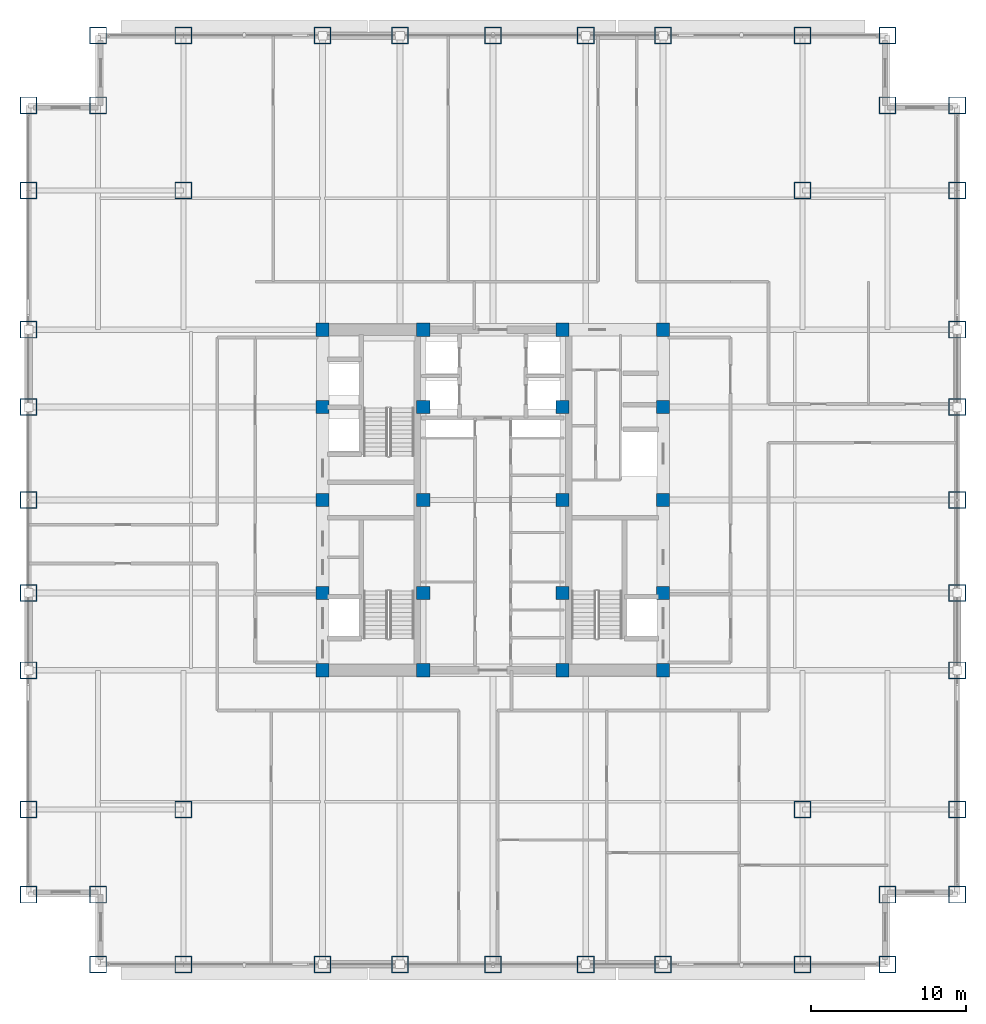
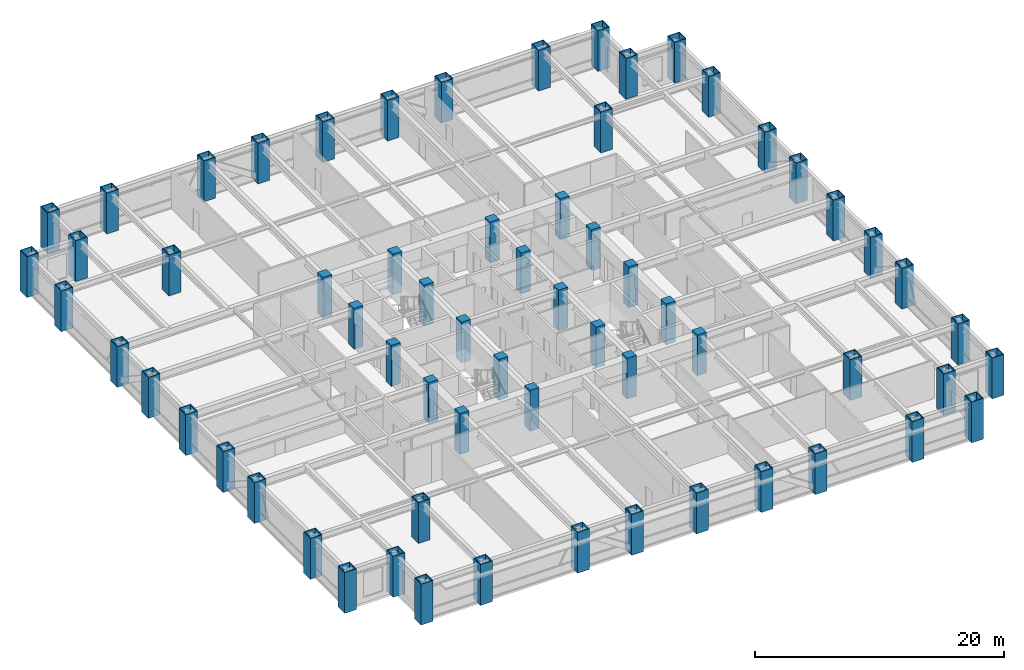
# One storey, part 1 of 28: 64 columns.
"""IFC4 building model written with IfcOpenShell, lengths in metres."""

from ifc_helpers import new_model, si_unit, direction, frame, origin, origin_2d, place, context, subcontext, project, spatial, rectangle, hollow_rectangle, extrude, source, transform, mapped, material, material_profile, profile_set, type_object, element, save


model = new_model("IFC4")

# Units and contexts
model_context = context("Model", 3, precision=1e-05, world=origin(), true_north=direction((0.0, 1.0)))
body_context = subcontext(model_context, "Body", "Model", "MODEL_VIEW")
ifc_project = project(units=[si_unit("LENGTHUNIT", "METRE"), si_unit("AREAUNIT", "SQUARE_METRE"), si_unit("VOLUMEUNIT", "CUBIC_METRE"), si_unit("PLANEANGLEUNIT", "RADIAN"), si_unit("MASSUNIT", "GRAM", prefix="KILO")], contexts=[model_context])

# Site, building, storey
site_placement = place(None, origin())
site = spatial("IfcSite", under=ifc_project, at=site_placement, CompositionType="ELEMENT")
building_placement = place(site_placement, origin())
building = spatial("IfcBuilding", under=site, at=building_placement, Name="Khorayat Bourse Tower", CompositionType="ELEMENT")
storey_placement = place(building_placement, frame((0.0, 0.0, 191.10009765625)))
storey = spatial("IfcBuildingStorey", under=building, at=storey_placement, Name="L44", CompositionType="ELEMENT", Elevation=191.10009765625)

# Columns
ifc_material_1 = material(Name="Steel EN 10025-4 S460M", Category="steel")
ifc_material_profile_1 = material_profile(ifc_material_1, hollow_rectangle(XDim=1.10009765625, YDim=1.10009765625, WallThickness=0.06005859375, at=origin_2d()), Name="BOX 1100x1100x60")
ifc_profile_set_1 = profile_set([ifc_material_profile_1], Name="Steel EN 10025-4 S460M")
column_type_1 = type_object("IfcColumnType", Name="COL-TUBE-1100", PredefinedType="COLUMN", material=ifc_profile_set_1)
shared_shape_1 = source(origin(), body_context, "Body", "SweptSolid", [
    extrude(hollow_rectangle(XDim=1.10009765625, YDim=1.10009765625, WallThickness=0.06005859375, at=origin_2d()), origin(), (0.0, 0.0, 1.0), 4.0),
])
for number, where, z_axis, x_axis, name in (
    (1, (-30.0, -25.5, 0.0), (0.0, 0.0, 1.0), (1.0, 0.0, 0.0), "L44 Column 001"),
    (2, (-30.0, -20.0, 0.0), (0.0, 0.0, 1.0), (1.0, 0.0, 0.0), "L44 Column 002"),
    (3, (-30.0, -11.0, 0.0), (0.0, 0.0, 1.0), (1.0, 0.0, 0.0), "L44 Column 003"),
    (4, (-30.0, -6.0, 0.0), (0.0, 0.0, 1.0), (1.0, 0.0, 0.0), "L44 Column 004"),
    (5, (-30.0, 0.0, 0.0), (0.0, 0.0, 1.0), (1.0, 0.0, 0.0), "L44 Column 005"),
    (6, (-30.0, 6.0, 0.0), (0.0, 0.0, 1.0), (1.0, 0.0, 0.0), "L44 Column 006"),
    (7, (-30.0, 11.0, 0.0), (0.0, 0.0, 1.0), (1.0, 0.0, 0.0), "L44 Column 007"),
    (8, (-30.0, 20.0, 0.0), (0.0, 0.0, 1.0), (1.0, 0.0, 0.0), "L44 Column 008"),
    (9, (-30.0, 25.5, 0.0), (0.0, 0.0, 1.0), (1.0, 0.0, 0.0), "L44 Column 009"),
    (10, (-25.5, -30.0, 0.0), (0.0, 0.0, 1.0), (1.0, 0.0, 0.0), "L44 Column 010"),
    (11, (-25.5, -25.5, 0.0), (0.0, 0.0, 1.0), (1.0, 0.0, 0.0), "L44 Column 011"),
    (12, (-25.5, 25.5, 0.0), (0.0, 0.0, 1.0), (1.0, 0.0, 0.0), "L44 Column 012"),
    (13, (-25.5, 30.0, 0.0), (0.0, 0.0, 1.0), (1.0, 0.0, 0.0), "L44 Column 013"),
    (14, (-20.0, -30.0, 0.0), (0.0, 0.0, 1.0), (1.0, 0.0, 0.0), "L44 Column 014"),
    (15, (-20.0, -20.0, 0.0), (0.0, 0.0, 1.0), (1.0, 0.0, 0.0), "L44 Column 015"),
    (16, (-20.0, 20.0, 0.0), (0.0, 0.0, 1.0), (1.0, 0.0, 0.0), "L44 Column 016"),
    (17, (-20.0, 30.0, 0.0), (0.0, 0.0, 1.0), (1.0, 0.0, 0.0), "L44 Column 017"),
    (18, (-11.0, -30.0, 0.0), (0.0, 0.0, 1.0), (1.0, 0.0, 0.0), "L44 Column 018"),
    (19, (-11.0, 30.0, 0.0), (0.0, 0.0, 1.0), (1.0, 0.0, 0.0), "L44 Column 024"),
    (20, (-6.0, -30.0, 0.0), (0.0, 0.0, 1.0), (1.0, 0.0, 0.0), "L44 Column 025"),
    (21, (-6.0, 30.0, 0.0), (0.0, 0.0, 1.0), (1.0, 0.0, 0.0), "L44 Column 026"),
    (22, (0.0, -30.0, 0.0), (0.0, 0.0, 1.0), (1.0, 0.0, 0.0), "L44 Column 032"),
    (23, (0.0, 30.0, 0.0), (0.0, 0.0, 1.0), (1.0, 0.0, 0.0), "L44 Column 033"),
    (24, (6.0, -30.0, 0.0), (0.0, 0.0, 1.0), (1.0, 0.0, 0.0), "L44 Column 039"),
    (25, (6.0, 30.0, 0.0), (0.0, 0.0, 1.0), (1.0, 0.0, 0.0), "L44 Column 040"),
    (26, (11.0, -30.0, 0.0), (0.0, 0.0, 1.0), (1.0, 0.0, 0.0), "L44 Column 041"),
    (27, (11.0, 30.0, 0.0), (0.0, 0.0, 1.0), (1.0, 0.0, 0.0), "L44 Column 047"),
    (28, (20.0, -30.0, 0.0), (0.0, 0.0, 1.0), (1.0, 0.0, 0.0), "L44 Column 048"),
    (29, (20.0, -20.0, 0.0), (0.0, 0.0, 1.0), (1.0, 0.0, 0.0), "L44 Column 049"),
    (30, (20.0, 20.0, 0.0), (0.0, 0.0, 1.0), (1.0, 0.0, 0.0), "L44 Column 050"),
    (31, (20.0, 30.0, 0.0), (0.0, 0.0, 1.0), (1.0, 0.0, 0.0), "L44 Column 051"),
    (32, (25.5, -30.0, 0.0), (0.0, 0.0, 1.0), (1.0, 0.0, 0.0), "L44 Column 052"),
    (33, (25.5, -25.5, 0.0), (0.0, 0.0, 1.0), (1.0, 0.0, 0.0), "L44 Column 053"),
    (34, (25.5, 25.5, 0.0), (0.0, 0.0, 1.0), (1.0, 0.0, 0.0), "L44 Column 054"),
    (35, (25.5, 30.0, 0.0), (0.0, 0.0, 1.0), (1.0, 0.0, 0.0), "L44 Column 055"),
    (36, (30.0, -25.5, 0.0), (0.0, 0.0, 1.0), (1.0, 0.0, 0.0), "L44 Column 056"),
    (37, (30.0, -20.0, 0.0), (0.0, 0.0, 1.0), (1.0, 0.0, 0.0), "L44 Column 057"),
    (38, (30.0, -11.0, 0.0), (0.0, 0.0, 1.0), (1.0, 0.0, 0.0), "L44 Column 058"),
    (39, (30.0, -6.0, 0.0), (0.0, 0.0, 1.0), (1.0, 0.0, 0.0), "L44 Column 059"),
    (40, (30.0, 0.0, 0.0), (0.0, 0.0, 1.0), (1.0, 0.0, 0.0), "L44 Column 060"),
    (41, (30.0, 6.0, 0.0), (0.0, 0.0, 1.0), (1.0, 0.0, 0.0), "L44 Column 061"),
    (42, (30.0, 11.0, 0.0), (0.0, 0.0, 1.0), (1.0, 0.0, 0.0), "L44 Column 062"),
    (43, (30.0, 20.0, 0.0), (0.0, 0.0, 1.0), (1.0, 0.0, 0.0), "L44 Column 063"),
    (44, (30.0, 25.5, 0.0), (0.0, 0.0, 1.0), (1.0, 0.0, 0.0), "L44 Column 064"),
):
    element("IfcColumn", number, at=place(storey_placement, frame(where, z_axis=z_axis, x_axis=x_axis)), inside=storey, type_object=column_type_1, Name=name, PredefinedType="COLUMN", context=body_context, shape_type="MappedRepresentation", body=[
        mapped(shared_shape_1, transform((0.0, 0.0, 0.0), scale=1.0)),
    ])
ifc_material_2 = material(Name="Concrete C60/75", Category="concrete")
ifc_material_profile_2 = material_profile(ifc_material_2, rectangle(XDim=0.85009765625, YDim=0.85009765625, at=origin_2d()), Name="RC 850x850")
ifc_profile_set_2 = profile_set([ifc_material_profile_2], Name="Concrete C60/75")
column_type_2 = type_object("IfcColumnType", Name="COL-CORE-850", PredefinedType="COLUMN", material=ifc_profile_set_2)
shared_shape_2 = source(origin(), body_context, "Body", "SweptSolid", [
    extrude(rectangle(XDim=0.85009765625, YDim=0.85009765625, at=origin_2d()), origin(), (0.0, 0.0, 1.0), 4.0),
])
for number, where, z_axis, x_axis, name in (
    (45, (-11.0, -11.0, 0.0), (0.0, 0.0, 1.0), (1.0, 0.0, 0.0), "L44 Column 019"),
    (46, (-11.0, -6.0, 0.0), (0.0, 0.0, 1.0), (1.0, 0.0, 0.0), "L44 Column 020"),
    (47, (-11.0, 0.0, 0.0), (0.0, 0.0, 1.0), (1.0, 0.0, 0.0), "L44 Column 021"),
    (48, (-11.0, 6.0, 0.0), (0.0, 0.0, 1.0), (1.0, 0.0, 0.0), "L44 Column 022"),
    (49, (-11.0, 11.0, 0.0), (0.0, 0.0, 1.0), (1.0, 0.0, 0.0), "L44 Column 023"),
    (50, (-4.5, -11.0, 0.0), (0.0, 0.0, 1.0), (1.0, 0.0, 0.0), "L44 Column 027"),
    (51, (-4.5, -6.0, 0.0), (0.0, 0.0, 1.0), (1.0, 0.0, 0.0), "L44 Column 028"),
    (52, (-4.5, 0.0, 0.0), (0.0, 0.0, 1.0), (1.0, 0.0, 0.0), "L44 Column 029"),
    (53, (-4.5, 6.0, 0.0), (0.0, 0.0, 1.0), (1.0, 0.0, 0.0), "L44 Column 030"),
    (54, (-4.5, 11.0, 0.0), (0.0, 0.0, 1.0), (1.0, 0.0, 0.0), "L44 Column 031"),
    (55, (4.5, -11.0, 0.0), (0.0, 0.0, 1.0), (1.0, 0.0, 0.0), "L44 Column 034"),
    (56, (4.5, -6.0, 0.0), (0.0, 0.0, 1.0), (1.0, 0.0, 0.0), "L44 Column 035"),
    (57, (4.5, 0.0, 0.0), (0.0, 0.0, 1.0), (1.0, 0.0, 0.0), "L44 Column 036"),
    (58, (4.5, 6.0, 0.0), (0.0, 0.0, 1.0), (1.0, 0.0, 0.0), "L44 Column 037"),
    (59, (4.5, 11.0, 0.0), (0.0, 0.0, 1.0), (1.0, 0.0, 0.0), "L44 Column 038"),
    (60, (11.0, -11.0, 0.0), (0.0, 0.0, 1.0), (1.0, 0.0, 0.0), "L44 Column 042"),
    (61, (11.0, -6.0, 0.0), (0.0, 0.0, 1.0), (1.0, 0.0, 0.0), "L44 Column 043"),
    (62, (11.0, 0.0, 0.0), (0.0, 0.0, 1.0), (1.0, 0.0, 0.0), "L44 Column 044"),
    (63, (11.0, 6.0, 0.0), (0.0, 0.0, 1.0), (1.0, 0.0, 0.0), "L44 Column 045"),
    (64, (11.0, 11.0, 0.0), (0.0, 0.0, 1.0), (1.0, 0.0, 0.0), "L44 Column 046"),
):
    element("IfcColumn", number, at=place(storey_placement, frame(where, z_axis=z_axis, x_axis=x_axis)), inside=storey, type_object=column_type_2, Name=name, PredefinedType="COLUMN", context=body_context, shape_type="MappedRepresentation", body=[
        mapped(shared_shape_2, transform((0.0, 0.0, 0.0), scale=1.0)),
    ])

save(model, "model.ifc")
